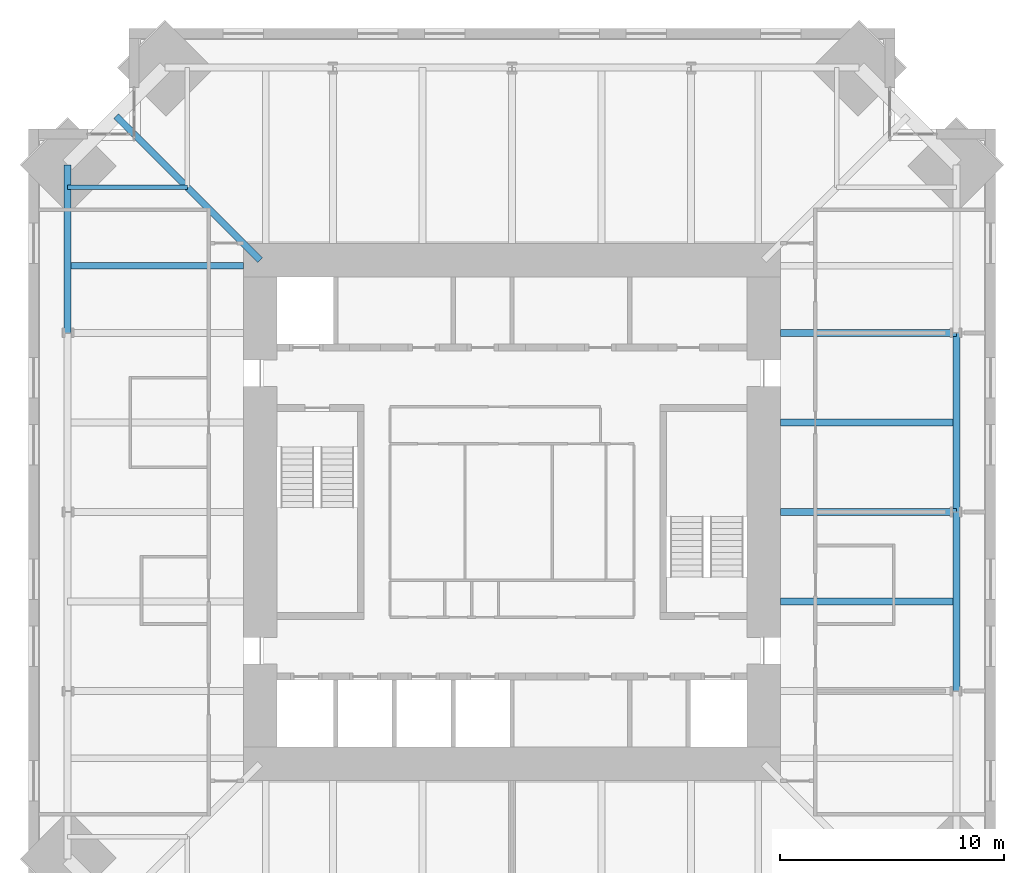
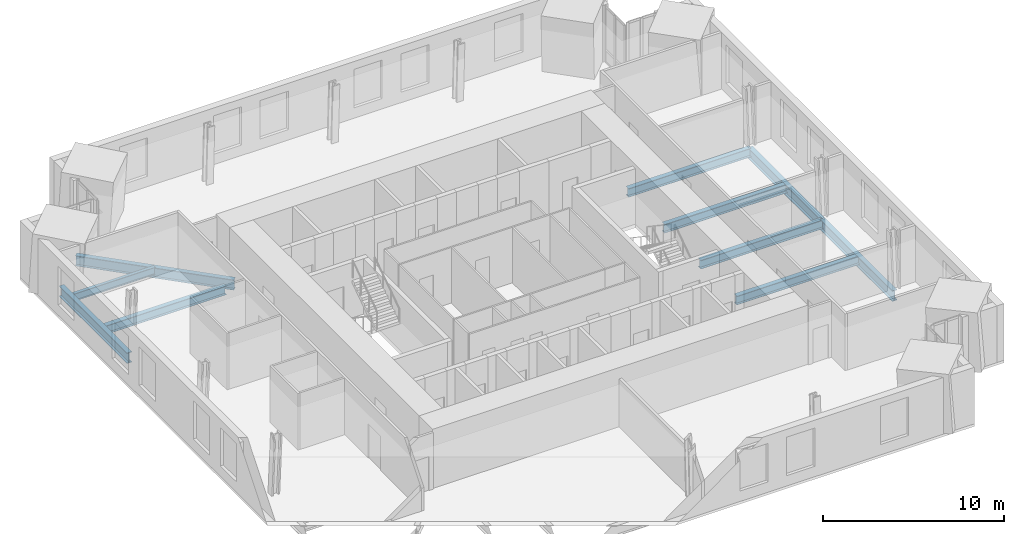
# One storey, part 5 of 16: 10 beams.
"""IFC4 building model written with IfcOpenShell, lengths in metres."""

from ifc_helpers import new_model, si_unit, direction, frame, origin, origin_2d, place, context, subcontext, project, spatial, i_section, extrude, material, material_profile, profile_set, type_object, element, save


model = new_model("IFC4")

# Units and contexts
model_context = context("Model", 3, precision=1e-05, world=origin(), true_north=direction((0.0, 1.0)))
body_context = subcontext(model_context, "Body", "Model", "MODEL_VIEW")
ifc_project = project(units=[si_unit("LENGTHUNIT", "METRE"), si_unit("AREAUNIT", "SQUARE_METRE"), si_unit("VOLUMEUNIT", "CUBIC_METRE"), si_unit("PLANEANGLEUNIT", "RADIAN"), si_unit("MASSUNIT", "GRAM", prefix="KILO")], contexts=[model_context])

# Site, building, storey
site_placement = place(None, origin())
site = spatial("IfcSite", under=ifc_project, at=site_placement, CompositionType="ELEMENT")
building_placement = place(site_placement, origin())
building = spatial("IfcBuilding", under=site, at=building_placement, Name="Peilmerk Tower", CompositionType="ELEMENT")
storey_placement = place(building_placement, frame((0.0, 0.0, 273.800048828125)))
storey = spatial("IfcBuildingStorey", under=building, at=storey_placement, Name="L61", CompositionType="ELEMENT", Elevation=273.800048828125)

# Beams
ifc_material = material(Name="Steel S355", Category="steel")
ifc_material_profile_1 = material_profile(ifc_material, i_section(OverallWidth=0.300048828125, OverallDepth=0.68994140625, WebThickness=0.014404296875, FlangeThickness=0.027099609375, at=origin_2d()), Name="HEA 700")
ifc_profile_set_1 = profile_set([ifc_material_profile_1], Name="Steel S355")
beam_type_1 = type_object("IfcBeamType", Name="B16 HEA 700 floor beam", PredefinedType="BEAM", material=ifc_profile_set_1)
beam_1_placement = place(storey_placement, frame((-11.25, 11.25, -0.51513671875), z_axis=(-0.707106781187, 0.707106781187, 0.0), x_axis=(-0.707106781187, -0.707106781187, 0.0)))
element("IfcBeam", 1, at=beam_1_placement, inside=storey, type_object=beam_type_1, Name="Corner girder L61", PredefinedType="BEAM", context=body_context, shape_type="SweptSolid", body=[
    extrude(i_section(OverallWidth=0.300048828125, OverallDepth=0.68994140625, WebThickness=0.014404296875, FlangeThickness=0.027099609375, at=origin_2d()), origin(), (0.0, 0.0, 1.0), 9.095458984375),
])
ifc_material_profile_2 = material_profile(ifc_material, i_section(OverallWidth=0.300048828125, OverallDepth=0.590087890625, WebThickness=0.012939453125, FlangeThickness=0.02490234375, at=origin_2d()), Name="HEA 600")
ifc_profile_set_2 = profile_set([ifc_material_profile_2], Name="Steel S355")
beam_type_2 = type_object("IfcBeamType", Name="B27 HEA 600 floor beam", PredefinedType="BEAM", material=ifc_profile_set_2)
for number, where, z_axis, x_axis, name in (
    (2, (12.0, -4.0, -0.465087890625), (1.0, 0.0, 0.0), (0.0, 1.0, 0.0), "Floor beam L61"),
    (3, (12.0, 0.0, -0.465087890625), (1.0, 0.0, 0.0), (0.0, 1.0, 0.0), "Floor beam L61"),
    (4, (12.0, 4.0, -0.465087890625), (1.0, 0.0, 0.0), (0.0, 1.0, 0.0), "Floor beam L61"),
    (5, (12.0, 8.0, -0.465087890625), (1.0, 0.0, 0.0), (0.0, 1.0, 0.0), "Floor beam L61"),
    (6, (-12.0, 11.0, -0.465087890625), (-1.0, 0.0, 0.0), (0.0, -1.0, 0.0), "Floor beam L61"),
):
    element("IfcBeam", number, at=place(storey_placement, frame(where, z_axis=z_axis, x_axis=x_axis)), inside=storey, type_object=beam_type_2, Name=name, PredefinedType="BEAM", context=body_context, shape_type="SweptSolid", body=[
        extrude(i_section(OverallWidth=0.300048828125, OverallDepth=0.590087890625, WebThickness=0.012939453125, FlangeThickness=0.02490234375, at=origin_2d()), origin(), (0.0, 0.0, 1.0), 7.8564453125),
    ])
ifc_material_profile_3 = material_profile(ifc_material, i_section(OverallWidth=0.303955078125, OverallDepth=0.716064453125, WebThickness=0.02099609375, FlangeThickness=0.0400390625, at=origin_2d()), Name="HEM 700")
ifc_profile_set_3 = profile_set([ifc_material_profile_3], Name="Steel S355")
beam_type_3 = type_object("IfcBeamType", Name="B30 HEM 700 edge beam", PredefinedType="SPANDREL", material=ifc_profile_set_3)
for number, where, z_axis, x_axis, name in (
    (7, (19.8564453125, -8.0, -0.528076171875), (0.0, 1.0, 0.0), (-1.0, 0.0, 0.0), "Edge beam L61"),
    (8, (19.8564453125, 0.0, -0.528076171875), (0.0, 1.0, 0.0), (-1.0, 0.0, 0.0), "Edge beam L61"),
):
    element("IfcBeam", number, at=place(storey_placement, frame(where, z_axis=z_axis, x_axis=x_axis)), inside=storey, type_object=beam_type_3, Name=name, PredefinedType="SPANDREL", context=body_context, shape_type="SweptSolid", body=[
        extrude(i_section(OverallWidth=0.303955078125, OverallDepth=0.716064453125, WebThickness=0.02099609375, FlangeThickness=0.0400390625, at=origin_2d()), origin(), (0.0, 0.0, 1.0), 8.0),
    ])
beam_2_placement = place(storey_placement, frame((-19.8564453125, 15.50634765625, -0.528076171875), z_axis=(0.0, -1.0, 0.0), x_axis=(1.0, 0.0, 0.0)))
element("IfcBeam", 9, at=beam_2_placement, inside=storey, type_object=beam_type_3, Name="Edge beam L61", PredefinedType="SPANDREL", context=body_context, shape_type="SweptSolid", body=[
    extrude(i_section(OverallWidth=0.303955078125, OverallDepth=0.716064453125, WebThickness=0.02099609375, FlangeThickness=0.0400390625, at=origin_2d()), origin(), (0.0, 0.0, 1.0), 7.50634765625),
])
ifc_material_profile_4 = material_profile(ifc_material, i_section(OverallWidth=0.199951171875, OverallDepth=0.5, WebThickness=0.01025390625, FlangeThickness=0.01611328125, at=origin_2d()), Name="IPE 500")
ifc_profile_set_4 = profile_set([ifc_material_profile_4], Name="Steel S355")
beam_type_4 = type_object("IfcBeamType", Name="B32 IPE 500 floor beam", PredefinedType="BEAM", material=ifc_profile_set_4)
beam_3_placement = place(storey_placement, frame((-14.5, 14.5, -0.420166015625), z_axis=(-1.0, 0.0, 0.0), x_axis=(0.0, -1.0, 0.0)))
element("IfcBeam", 10, at=beam_3_placement, inside=storey, type_object=beam_type_4, Name="Floor beam L61", PredefinedType="BEAM", context=body_context, shape_type="SweptSolid", body=[
    extrude(i_section(OverallWidth=0.199951171875, OverallDepth=0.5, WebThickness=0.01025390625, FlangeThickness=0.01611328125, at=origin_2d()), origin(), (0.0, 0.0, 1.0), 5.3564453125),
])

save(model, "model.ifc")
